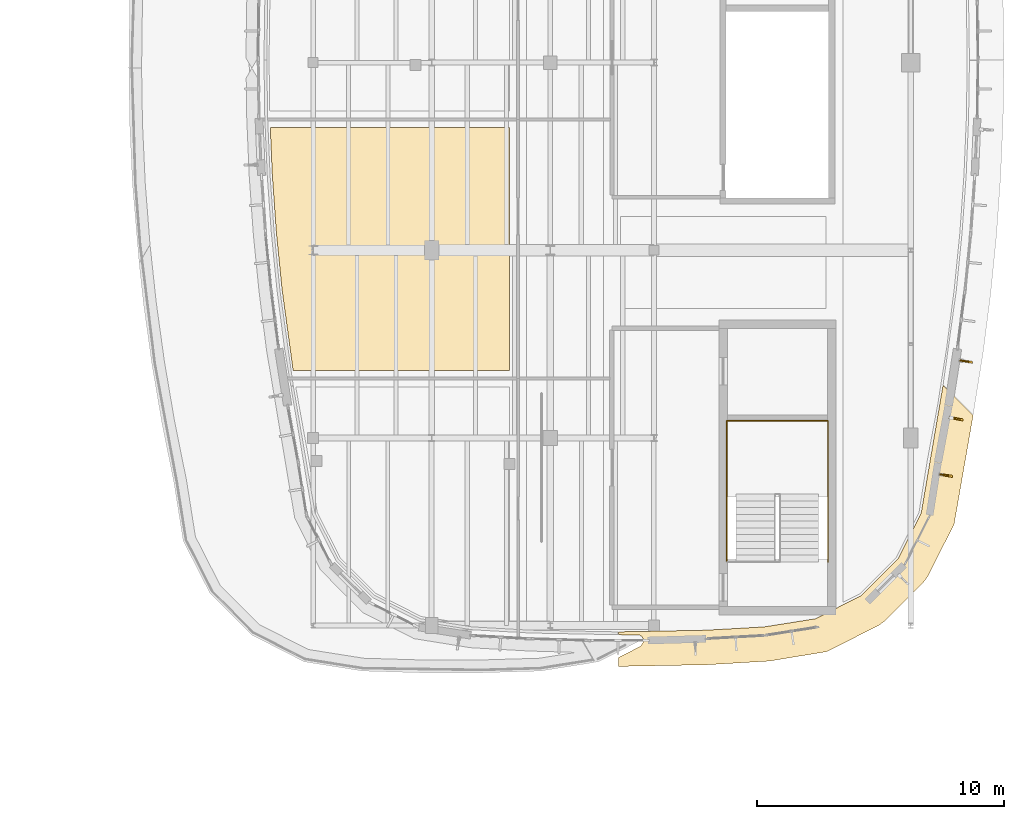
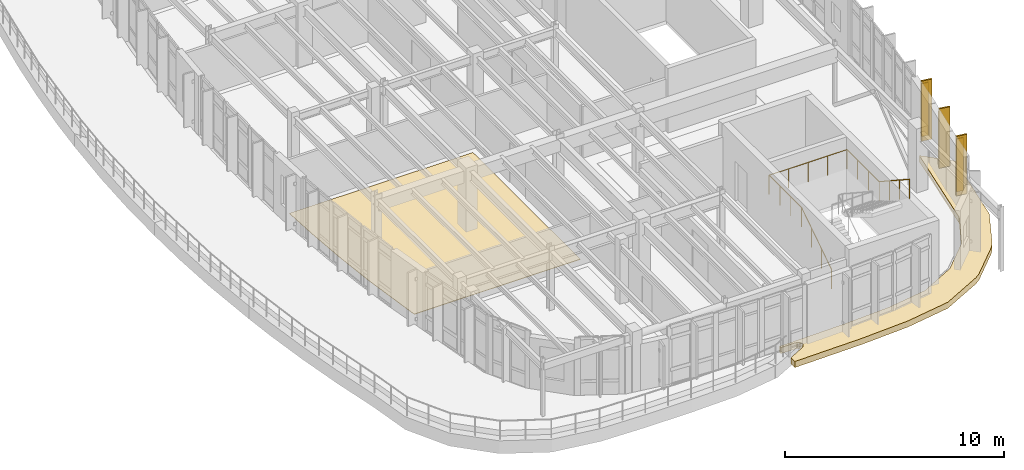
# One storey, part 28 of 30: 5 coverings, 3 shading devices, 1 railing.
"""IFC4 building model written with IfcOpenShell, lengths in metres."""

from ifc_helpers import new_model, si_unit, direction, frame, origin, origin_2d, place, context, subcontext, project, spatial, polyline, rectangle, circle, outline, extrude, material, layer, layer_set, type_object, element, save


model = new_model("IFC4")

# Units and contexts
model_context = context("Model", 3, precision=1e-05, world=origin(), true_north=direction((0.0, 1.0)))
body_context = subcontext(model_context, "Body", "Model", "MODEL_VIEW")
ifc_project = project(units=[si_unit("LENGTHUNIT", "METRE"), si_unit("AREAUNIT", "SQUARE_METRE"), si_unit("VOLUMEUNIT", "CUBIC_METRE"), si_unit("PLANEANGLEUNIT", "RADIAN"), si_unit("MASSUNIT", "GRAM", prefix="KILO")], contexts=[model_context])

# Site, building, storey
site_placement = place(None, origin())
site = spatial("IfcSite", under=ifc_project, at=site_placement, CompositionType="ELEMENT")
building_placement = place(site_placement, origin())
building = spatial("IfcBuilding", under=site, at=building_placement, Name="Corveleigh Park Community Centre", CompositionType="ELEMENT")
storey_placement = place(building_placement, frame((0.0, 0.0, 12.60009765625)))
storey = spatial("IfcBuildingStorey", under=building, at=storey_placement, Name="L03", CompositionType="ELEMENT", Elevation=12.60009765625)

# Coverings
ifc_material_1 = material(Name="Warm buff ribbed architectural cladding", Category="masonry")
ifc_layer_1 = layer(ifc_material_1, 0.0849609375, Name="Warm buff ribbed architectural cladding", Category="masonry")
ifc_layer_set_1 = layer_set([ifc_layer_1], Name="Warm buff ribbed architectural cladding")
covering_type_1 = type_object("IfcCoveringType", Name="COV-CLD-BUF", PredefinedType="CLADDING", material=ifc_layer_set_1)
covering_1_placement = place(storey_placement, origin())
element("IfcCovering", 1, at=covering_1_placement, inside=storey, type_object=covering_type_1, Name="V4 L03 Brise-soleil blade 437", PredefinedType="CLADDING", context=body_context, shape_type="SweptSolid", body=[
    extrude(outline(polyline([(169.568115234375, 64.76708984375), (169.554931640625, 64.68408203125), (170.0830078125, 64.60009765625), (170.096923828125, 64.68408203125), (169.568115234375, 64.76708984375)])), origin(), (0.0, 0.0, 1.0), 3.35693359375),
])
covering_2_placement = place(storey_placement, origin())
element("IfcCovering", 2, at=covering_2_placement, inside=storey, type_object=covering_type_1, Name="V4 L03 Brise-soleil blade 438", PredefinedType="CLADDING", context=body_context, shape_type="SweptSolid", body=[
    extrude(outline(polyline([(169.99609375, 67.068115234375), (169.97998046875, 66.98388671875), (170.506103515625, 66.885986328125), (170.52197265625, 66.969970703125), (169.99609375, 67.068115234375)])), origin(), (0.0, 0.0, 1.0), 3.35693359375),
])
covering_3_placement = place(storey_placement, origin())
element("IfcCovering", 3, at=covering_3_placement, inside=storey, type_object=covering_type_1, Name="V4 L03 Brise-soleil blade 439", PredefinedType="CLADDING", context=body_context, shape_type="SweptSolid", body=[
    extrude(outline(polyline([(170.383056640625, 69.383056640625), (170.3701171875, 69.299072265625), (170.89892578125, 69.216064453125), (170.912109375, 69.300048828125), (170.383056640625, 69.383056640625)])), origin(), (0.0, 0.0, 1.0), 3.35693359375),
])
ifc_material_2 = material(Name="White architectural fascia cladding", Category="masonry")
ifc_layer_2 = layer(ifc_material_2, 0.074951171875, Name="White architectural fascia cladding", Category="masonry")
ifc_layer_set_2 = layer_set([ifc_layer_2], Name="White architectural fascia cladding")
covering_type_2 = type_object("IfcCoveringType", Name="COV-CLD-WHT", PredefinedType="CLADDING", material=ifc_layer_set_2)
covering_4_placement = place(storey_placement, frame((0.0, 0.0, -0.300048828125)))
element("IfcCovering", 4, at=covering_4_placement, inside=storey, type_object=covering_type_2, Name="V4 L03 Horizontal Sun-Hood 7", PredefinedType="CLADDING", context=body_context, shape_type="SweptSolid", body=[
    extrude(outline(polyline([(170.925048828125, 67.111083984375), (170.156005859375, 62.7119140625), (169.09912109375, 60.60888671875), (168.905029296875, 60.343994140625), (167.35595703125, 58.794921875), (167.091064453125, 58.60107421875), (164.988037109375, 57.5439453125), (162.6640625, 57.1630859375), (160.152099609375, 57.014892578125), (156.56201171875, 56.947021484375), (156.56201171875, 57.305908203125), (157.47412109375, 57.77197265625), (157.589111328125, 57.97900390625), (157.532958984375, 58.138916015625), (157.412109375, 58.220947265625), (156.56201171875, 58.23193359375), (156.56201171875, 58.346923828125), (160.10693359375, 58.4150390625), (162.462890625, 58.548095703125), (164.552978515625, 58.8798828125), (166.406005859375, 59.823974609375), (167.8759765625, 61.2939453125), (168.820068359375, 63.14697265625), (169.7060546875, 68.3310546875), (170.925048828125, 67.111083984375)])), origin(), (0.0, 0.0, 1.0), 0.33984375),
])
ifc_material_3 = material(Name="Acoustic linoleum flooring", Category="wood")
ifc_layer_3 = layer(ifc_material_3, 0.02490234375, Name="Acoustic linoleum flooring", Category="wood")
ifc_layer_set_3 = layer_set([ifc_layer_3], Name="Acoustic linoleum flooring")
covering_type_3 = type_object("IfcCoveringType", Name="COV-FLR-LIN", PredefinedType="FLOORING", material=ifc_layer_set_3)
covering_5_placement = place(storey_placement, origin())
element("IfcCovering", 5, at=covering_5_placement, inside=storey, type_object=covering_type_3, Name="Ceramics and Pottery Studio flooring", PredefinedType="FLOORING", context=body_context, shape_type="SweptSolid", body=[
    extrude(outline(polyline([(142.547119140625, 76.840087890625), (142.465087890625, 78.760009765625), (152.159912109375, 78.760009765625), (152.159912109375, 68.93994140625), (143.388916015625, 68.93994140625), (142.944091796875, 72.194091796875), (142.7119140625, 74.513916015625), (142.547119140625, 76.840087890625)])), origin(), (0.0, 0.0, 1.0), 0.02490234375),
])

# Railing
ifc_material_4 = material(Name="Stainless steel 316 balustrade", Category="steel")
railing_type = type_object("IfcRailingType", Name="RLG-BAL-INT-1100", PredefinedType="BALUSTRADE", material=ifc_material_4)
railing_placement = place(storey_placement, frame((160.947021484375, 61.179931640625, 0.0)))
element("IfcRailing", 6, at=railing_placement, inside=storey, type_object=railing_type, Name="Stair ST1 perimeter guard L03", PredefinedType="BALUSTRADE", context=body_context, shape_type="SweptSolid", body=[
    extrude(circle(Radius=0.02392578125, at=origin_2d()), frame((0.0, 0.0, 1.076171875), z_axis=(0.0, 0.83672874682, 0.547617571161), x_axis=(-1.0, 0.0, 0.0)), (0.0, 0.0, 1.0), 3.28662109375),
    extrude(circle(Radius=0.02392578125, at=origin_2d()), frame((0.0, 2.75, 2.8759765625), z_axis=(0.0, 1.0, 0.0), x_axis=(-1.0, 0.0, 0.0)), (0.0, 0.0, 1.0), 2.963134765625),
    extrude(circle(Radius=0.02392578125, at=origin_2d()), frame((0.0, 5.713134765625, 2.8759765625), z_axis=(1.0, 0.0, 0.0), x_axis=(0.0, 1.0, 0.0)), (0.0, 0.0, 1.0), 4.10595703125),
    extrude(circle(Radius=0.02392578125, at=origin_2d()), frame((4.10595703125, 5.713134765625, 2.8759765625), z_axis=(0.0, -1.0, 0.0), x_axis=(1.0, 0.0, 0.0)), (0.0, 0.0, 1.0), 2.963134765625),
    extrude(circle(Radius=0.02392578125, at=origin_2d()), frame((4.10595703125, 2.75, 2.8759765625), z_axis=(0.0, -0.836694709366, 0.547669574943), x_axis=(1.0, 0.0, 0.0)), (0.0, 0.0, 1.0), 3.28662109375),
    extrude(circle(Radius=0.02099609375, at=origin_2d()), origin(), (0.0, 0.0, 1.0), 1.052001953125),
    extrude(circle(Radius=0.02099609375, at=origin_2d()), frame((0.0, 0.916748046875, 0.599853515625)), (0.0, 0.0, 1.0), 1.052001953125),
    extrude(circle(Radius=0.02099609375, at=origin_2d()), frame((0.0, 1.833251953125, 1.199951171875)), (0.0, 0.0, 1.0), 1.052001953125),
    extrude(circle(Radius=0.02099609375, at=origin_2d()), frame((0.0, 2.75, 1.7998046875)), (0.0, 0.0, 1.0), 1.052001953125),
    extrude(circle(Radius=0.02099609375, at=origin_2d()), frame((0.0, 3.73779296875, 1.7998046875)), (0.0, 0.0, 1.0), 1.052001953125),
    extrude(circle(Radius=0.02099609375, at=origin_2d()), frame((0.0, 4.725341796875, 1.7998046875)), (0.0, 0.0, 1.0), 1.052001953125),
    extrude(circle(Radius=0.02099609375, at=origin_2d()), frame((0.0, 5.713134765625, 1.7998046875)), (0.0, 0.0, 1.0), 1.052001953125),
    extrude(circle(Radius=0.02099609375, at=origin_2d()), frame((1.0263671875, 5.713134765625, 1.7998046875)), (0.0, 0.0, 1.0), 1.052001953125),
    extrude(circle(Radius=0.02099609375, at=origin_2d()), frame((2.052978515625, 5.713134765625, 1.7998046875)), (0.0, 0.0, 1.0), 1.052001953125),
    extrude(circle(Radius=0.02099609375, at=origin_2d()), frame((3.07958984375, 5.713134765625, 1.7998046875)), (0.0, 0.0, 1.0), 1.052001953125),
    extrude(circle(Radius=0.02099609375, at=origin_2d()), frame((4.10595703125, 5.713134765625, 1.7998046875)), (0.0, 0.0, 1.0), 1.052001953125),
    extrude(circle(Radius=0.02099609375, at=origin_2d()), frame((4.10595703125, 4.725341796875, 1.7998046875)), (0.0, 0.0, 1.0), 1.052001953125),
    extrude(circle(Radius=0.02099609375, at=origin_2d()), frame((4.10595703125, 3.73779296875, 1.7998046875)), (0.0, 0.0, 1.0), 1.052001953125),
    extrude(circle(Radius=0.02099609375, at=origin_2d()), frame((4.10595703125, 2.75, 1.7998046875)), (0.0, 0.0, 1.0), 1.052001953125),
    extrude(circle(Radius=0.02099609375, at=origin_2d()), frame((4.10595703125, 1.833251953125, 2.39990234375)), (0.0, 0.0, 1.0), 1.052001953125),
    extrude(circle(Radius=0.02099609375, at=origin_2d()), frame((4.10595703125, 0.916748046875, 2.999755859375)), (0.0, 0.0, 1.0), 1.052001953125),
    extrude(circle(Radius=0.02099609375, at=origin_2d()), frame((4.10595703125, 0.0, 3.599853515625)), (0.0, 0.0, 1.0), 1.052001953125),
])

# Shading devices
ifc_material_5 = material(Name="Terracotta-anodised aluminium fin", Category="masonry")
shading_device_type_1 = type_object("IfcShadingDeviceType", Name="SHD-FIN-TER-350", PredefinedType="USERDEFINED", material=ifc_material_5)
for number, where, z_axis, x_axis, name in (
    (7, (169.7490234375, 64.696044921875, 0.25), (0.0, 0.0, 1.0), (0.987626350225, -0.15682535618, 0.0), "Terracotta brise-soleil fin 93"),
    (8, (170.56396484375, 69.31201171875, 0.25), (0.0, 0.0, 1.0), (0.987742036845, -0.156095062857, 0.0), "Terracotta brise-soleil fin 95"),
):
    element("IfcShadingDevice", number, at=place(storey_placement, frame(where, z_axis=z_axis, x_axis=x_axis)), inside=storey, type_object=shading_device_type_1, Name=name, ObjectType="FIN", PredefinedType="USERDEFINED", context=body_context, shape_type="SweptSolid", body=[
        extrude(rectangle(XDim=0.35009765625, YDim=0.06005859375, at=origin_2d()), origin(), (0.0, 0.0, 1.0), 2.95703125),
    ])
shading_device_type_2 = type_object("IfcShadingDeviceType", Name="SHD-FIN-TER-450", PredefinedType="USERDEFINED", material=ifc_material_5)
shading_device_placement = place(storey_placement, frame((170.175048828125, 66.990966796875, 0.25), z_axis=(0.0, 0.0, 1.0), x_axis=(0.983076054762, -0.18319789997, 0.0)))
element("IfcShadingDevice", 9, at=shading_device_placement, inside=storey, type_object=shading_device_type_2, Name="Terracotta brise-soleil fin 94", ObjectType="FIN", PredefinedType="USERDEFINED", context=body_context, shape_type="SweptSolid", body=[
    extrude(rectangle(XDim=0.449951171875, YDim=0.06494140625, at=origin_2d()), origin(), (0.0, 0.0, 1.0), 2.95703125),
])

save(model, "model.ifc")
